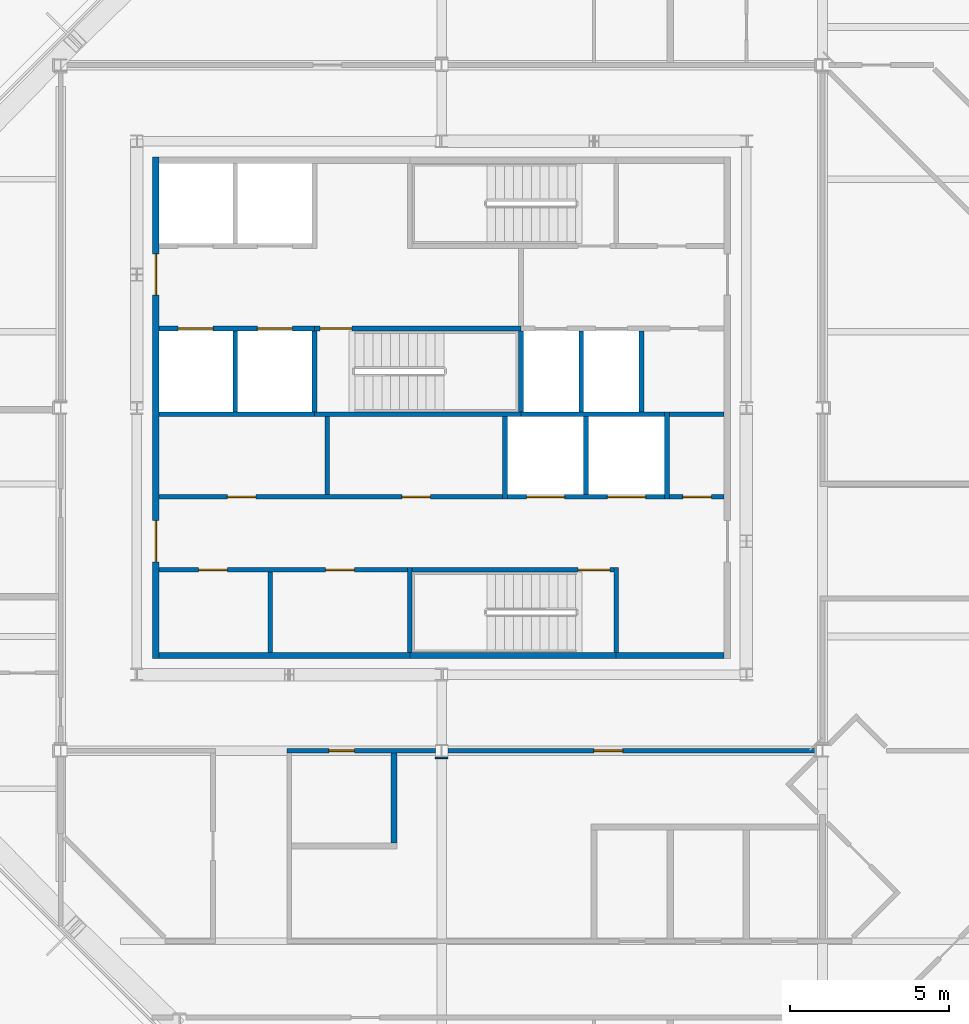
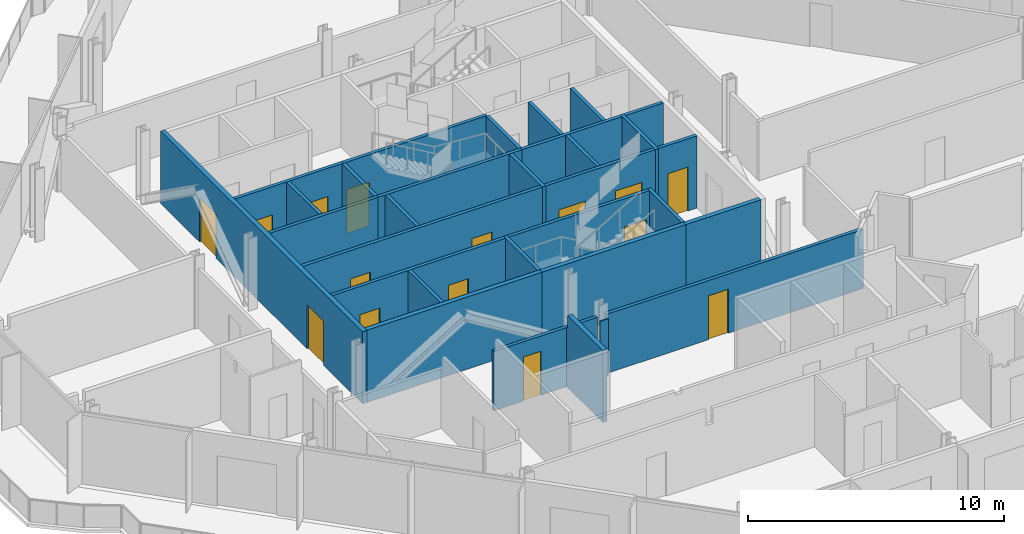
# One storey, part 8 of 17: 31 walls, 15 doors, 15 openings.
"""IFC4 building model written with IfcOpenShell, lengths in metres."""

from ifc_helpers import new_model, si_unit, direction, frame, frame_2d, origin, place, context, subcontext, project, spatial, polyline, rectangle, outline, extrude, material, layer, layer_set, type_object, element, fill, save


model = new_model("IFC4")

# Units and contexts
model_context = context("Model", 3, precision=1e-05, world=origin(), true_north=direction((0.0, 1.0)))
body_context = subcontext(model_context, "Body", "Model", "MODEL_VIEW")
ifc_project = project(units=[si_unit("LENGTHUNIT", "METRE"), si_unit("AREAUNIT", "SQUARE_METRE"), si_unit("VOLUMEUNIT", "CUBIC_METRE"), si_unit("PLANEANGLEUNIT", "RADIAN"), si_unit("MASSUNIT", "GRAM", prefix="KILO")], contexts=[model_context])

# Site, building, storey
site_placement = place(None, origin())
site = spatial("IfcSite", under=ifc_project, at=site_placement, CompositionType="ELEMENT")
building_placement = place(site_placement, origin())
building = spatial("IfcBuilding", under=site, at=building_placement, Name="Cairn Pilgrim Tower", CompositionType="ELEMENT")
storey_placement = place(building_placement, frame((0.0, 0.0, 210.60009765625)))
storey = spatial("IfcBuildingStorey", under=building, at=storey_placement, Name="L53", CompositionType="ELEMENT", Elevation=210.60009765625)

# Walls
ifc_material_1 = material(Name="Concrete C32/40", Category="concrete")
ifc_layer_1 = layer(ifc_material_1, 0.199951171875)
ifc_layer_set_1 = layer_set([ifc_layer_1], Name="CORE OUTER WALL 200 EI 120")
wall_type_1 = type_object("IfcWallType", Name="CORE OUTER WALL 200 EI 120", PredefinedType="SOLIDWALL", material=ifc_layer_set_1)
wall_1_placement = place(storey_placement, frame((-1.699951171875, -5.39990234375, 0.0), z_axis=(0.0, 0.0, 1.0), x_axis=(1.0, 0.0, 0.0)))
element("IfcWall", 1, at=wall_1_placement, inside=storey, type_object=wall_type_1, Name="CW:L53:H01-1", PredefinedType="SOLIDWALL", context=body_context, shape_type="SweptSolid", body=[
    extrude(rectangle(XDim=7.89990234375, YDim=0.199951171875, at=frame_2d((3.949951171875, 0.0))), origin(), (0.0, 0.0, 1.0), 3.449951171875),
])
wall_2_placement = place(storey_placement, frame((12.699951171875, -5.39990234375, 0.0), z_axis=(0.0, 0.0, 1.0), x_axis=(1.0, 0.0, 0.0)))
element("IfcWall", 2, at=wall_2_placement, inside=storey, type_object=wall_type_1, Name="CW:L53:H01-3", PredefinedType="SOLIDWALL", context=body_context, shape_type="SweptSolid", body=[
    extrude(rectangle(XDim=3.400146484375, YDim=0.199951171875, at=frame_2d((1.7001953125, 0.0))), origin(), (0.0, 0.0, 1.0), 3.449951171875),
])

# Wall, openings, doors
wall_3_placement = place(storey_placement, frame((-1.800048828125, -5.5, 0.0), z_axis=(0.0, 0.0, 1.0), x_axis=(0.0, 1.0, 0.0)))
wall_3 = element("IfcWall", 3, at=wall_3_placement, inside=storey, type_object=wall_type_1, Name="CW:L53:V13", PredefinedType="SOLIDWALL", context=body_context, shape_type="SweptSolid", body=[
    extrude(rectangle(XDim=15.800048828125, YDim=0.199951171875, at=frame_2d((7.89990234375, 0.0))), origin(), (0.0, 0.0, 1.0), 3.449951171875),
])
opening_1_placement = place(wall_3_placement, frame((3.050048828125, 0.0, 0.0)))
opening_1 = element("IfcOpeningElement", 4, at=opening_1_placement, cuts=wall_3, Name="Opening CD-W1", PredefinedType="OPENING", context=body_context, shape_type="SweptSolid", body=[
    extrude(rectangle(XDim=1.300048828125, YDim=2.10009765625, at=frame_2d((0.64990234375, 1.050048828125))), frame((0.0, 0.10986328125, 0.0), z_axis=(0.0, -1.0, 0.0), x_axis=(1.0, 0.0, 0.0)), (0.0, 0.0, 1.0), 0.219970703125),
])
opening_2_placement = place(wall_3_placement, frame((11.449951171875, 0.0, 0.0)))
opening_2 = element("IfcOpeningElement", 5, at=opening_2_placement, cuts=wall_3, Name="Opening CD-W2", PredefinedType="OPENING", context=body_context, shape_type="SweptSolid", body=[
    extrude(rectangle(XDim=1.300048828125, YDim=2.10009765625, at=frame_2d((0.64990234375, 1.050048828125))), frame((0.0, 0.10986328125, 0.0), z_axis=(0.0, -1.0, 0.0), x_axis=(1.0, 0.0, 0.0)), (0.0, 0.0, 1.0), 0.219970703125),
])
ifc_material_2 = material(Name="Painted steel", Category="steel")
door_type_1 = type_object("IfcDoorType", Name="CORE LOBBY DOOR 1300x2100", OperationType="DOUBLE_DOOR_SINGLE_SWING", PredefinedType="DOOR", material=ifc_material_2)
door_1_placement = place(opening_1_placement, origin())
door_1 = element("IfcDoor", 6, at=door_1_placement, inside=storey, type_object=door_type_1, Name="CD-W1", OperationType="DOUBLE_DOOR_SINGLE_SWING", OverallHeight=2.10009765625, OverallWidth=1.300048828125, PredefinedType="DOOR", context=body_context, shape_type="SweptSolid", body=[
    extrude(rectangle(XDim=1.300048828125, YDim=2.10009765625, at=frame_2d((0.64990234375, 1.050048828125))), frame((0.0, 0.02490234375, 0.0), z_axis=(0.0, -1.0, 0.0), x_axis=(1.0, 0.0, 0.0)), (0.0, 0.0, 1.0), 0.050048828125),
])
fill(opening_1, door_1)
door_2_placement = place(opening_2_placement, origin())
door_2 = element("IfcDoor", 7, at=door_2_placement, inside=storey, type_object=door_type_1, Name="CD-W2", OperationType="DOUBLE_DOOR_SINGLE_SWING", OverallHeight=2.10009765625, OverallWidth=1.300048828125, PredefinedType="DOOR", context=body_context, shape_type="SweptSolid", body=[
    extrude(rectangle(XDim=1.300048828125, YDim=2.10009765625, at=frame_2d((0.64990234375, 1.050048828125))), frame((0.0, 0.02490234375, 0.0), z_axis=(0.0, -1.0, 0.0), x_axis=(1.0, 0.0, 0.0)), (0.0, 0.0, 1.0), 0.050048828125),
])
fill(opening_2, door_2)

ifc_layer_2 = layer(ifc_material_1, 0.14990234375)
ifc_layer_set_2 = layer_set([ifc_layer_2], Name="CORE PARTITION 150 EI 60")
wall_type_2 = type_object("IfcWallType", Name="CORE PARTITION 150 EI 60", PredefinedType="PARTITIONING", material=ifc_layer_set_2)
wall_4_placement = place(storey_placement, frame((-1.699951171875, -2.699951171875, 0.0), z_axis=(0.0, 0.0, 1.0), x_axis=(1.0, 0.0, 0.0)))
wall_4 = element("IfcWall", 8, at=wall_4_placement, inside=storey, type_object=wall_type_2, Name="CW:L53:H02", PredefinedType="PARTITIONING", context=body_context, shape_type="SweptSolid", body=[
    extrude(rectangle(XDim=7.824951171875, YDim=0.14990234375, at=frame_2d((3.91259765625, 0.0))), origin(), (0.0, 0.0, 1.0), 3.449951171875),
])
opening_3_placement = place(wall_4_placement, frame((1.25, 0.0, 0.0)))
opening_3 = element("IfcOpeningElement", 9, at=opening_3_placement, cuts=wall_4, Name="Opening RD-R1W1", PredefinedType="OPENING", context=body_context, shape_type="SweptSolid", body=[
    extrude(rectangle(XDim=0.89990234375, YDim=2.10009765625, at=frame_2d((0.449951171875, 1.050048828125))), frame((0.0, 0.0849609375, 0.0), z_axis=(0.0, -1.0, 0.0), x_axis=(1.0, 0.0, 0.0)), (0.0, 0.0, 1.0), 0.169921875),
])
opening_4_placement = place(wall_4_placement, frame((5.25, 0.0, 0.0)))
opening_4 = element("IfcOpeningElement", 10, at=opening_4_placement, cuts=wall_4, Name="Opening RD-R1W2", PredefinedType="OPENING", context=body_context, shape_type="SweptSolid", body=[
    extrude(rectangle(XDim=0.89990234375, YDim=2.10009765625, at=frame_2d((0.449951171875, 1.050048828125))), frame((0.0, 0.0849609375, 0.0), z_axis=(0.0, -1.0, 0.0), x_axis=(1.0, 0.0, 0.0)), (0.0, 0.0, 1.0), 0.169921875),
])
door_type_2 = type_object("IfcDoorType", Name="SERVICE ROOM DOOR 900x2100", OperationType="SINGLE_SWING_LEFT", PredefinedType="DOOR", material=ifc_material_2)
door_3_placement = place(opening_3_placement, origin())
door_3 = element("IfcDoor", 11, at=door_3_placement, inside=storey, type_object=door_type_2, Name="RD-R1W1", OperationType="SINGLE_SWING_LEFT", OverallHeight=2.10009765625, OverallWidth=0.89990234375, PredefinedType="DOOR", context=body_context, shape_type="SweptSolid", body=[
    extrude(rectangle(XDim=0.89990234375, YDim=2.10009765625, at=frame_2d((0.449951171875, 1.050048828125))), frame((0.0, 0.02490234375, 0.0), z_axis=(0.0, -1.0, 0.0), x_axis=(1.0, 0.0, 0.0)), (0.0, 0.0, 1.0), 0.050048828125),
])
fill(opening_3, door_3)
door_4_placement = place(opening_4_placement, origin())
door_4 = element("IfcDoor", 12, at=door_4_placement, inside=storey, type_object=door_type_2, Name="RD-R1W2", OperationType="SINGLE_SWING_RIGHT", OverallHeight=2.10009765625, OverallWidth=0.89990234375, PredefinedType="DOOR", context=body_context, shape_type="SweptSolid", body=[
    extrude(rectangle(XDim=0.89990234375, YDim=2.10009765625, at=frame_2d((0.449951171875, 1.050048828125))), frame((0.0, 0.02490234375, 0.0), z_axis=(0.0, -1.0, 0.0), x_axis=(1.0, 0.0, 0.0)), (0.0, 0.0, 1.0), 0.050048828125),
])
fill(opening_4, door_4)

wall_5_placement = place(storey_placement, frame((-1.699951171875, -0.39990234375, 0.0), z_axis=(0.0, 0.0, 1.0), x_axis=(1.0, 0.0, 0.0)))
wall_5 = element("IfcWall", 13, at=wall_5_placement, inside=storey, type_object=wall_type_2, Name="CW:L53:H04", PredefinedType="PARTITIONING", context=body_context, shape_type="SweptSolid", body=[
    extrude(rectangle(XDim=10.824951171875, YDim=0.14990234375, at=frame_2d((5.41259765625, 0.0))), origin(), (0.0, 0.0, 1.0), 3.449951171875),
])
opening_5_placement = place(wall_5_placement, frame((2.14990234375, 0.0, 0.0)))
opening_5 = element("IfcOpeningElement", 14, at=opening_5_placement, cuts=wall_5, Name="Opening RD-R2W1", PredefinedType="OPENING", context=body_context, shape_type="SweptSolid", body=[
    extrude(rectangle(XDim=0.89990234375, YDim=2.10009765625, at=frame_2d((0.449951171875, 1.050048828125))), frame((0.0, 0.0849609375, 0.0), z_axis=(0.0, -1.0, 0.0), x_axis=(1.0, 0.0, 0.0)), (0.0, 0.0, 1.0), 0.169921875),
])
opening_6_placement = place(wall_5_placement, frame((7.64990234375, 0.0, 0.0)))
opening_6 = element("IfcOpeningElement", 15, at=opening_6_placement, cuts=wall_5, Name="Opening RD-R2W2", PredefinedType="OPENING", context=body_context, shape_type="SweptSolid", body=[
    extrude(rectangle(XDim=0.89990234375, YDim=2.10009765625, at=frame_2d((0.449951171875, 1.050048828125))), frame((0.0, 0.0849609375, 0.0), z_axis=(0.0, -1.0, 0.0), x_axis=(1.0, 0.0, 0.0)), (0.0, 0.0, 1.0), 0.169921875),
])
door_5_placement = place(opening_5_placement, origin())
door_5 = element("IfcDoor", 16, at=door_5_placement, inside=storey, type_object=door_type_2, Name="RD-R2W1", OperationType="SINGLE_SWING_LEFT", OverallHeight=2.10009765625, OverallWidth=0.89990234375, PredefinedType="DOOR", context=body_context, shape_type="SweptSolid", body=[
    extrude(rectangle(XDim=0.89990234375, YDim=2.10009765625, at=frame_2d((0.449951171875, 1.050048828125))), frame((0.0, 0.02490234375, 0.0), z_axis=(0.0, -1.0, 0.0), x_axis=(1.0, 0.0, 0.0)), (0.0, 0.0, 1.0), 0.050048828125),
])
fill(opening_5, door_5)
door_6_placement = place(opening_6_placement, origin())
door_6 = element("IfcDoor", 17, at=door_6_placement, inside=storey, type_object=door_type_2, Name="RD-R2W2", OperationType="SINGLE_SWING_RIGHT", OverallHeight=2.10009765625, OverallWidth=0.89990234375, PredefinedType="DOOR", context=body_context, shape_type="SweptSolid", body=[
    extrude(rectangle(XDim=0.89990234375, YDim=2.10009765625, at=frame_2d((0.449951171875, 1.050048828125))), frame((0.0, 0.02490234375, 0.0), z_axis=(0.0, -1.0, 0.0), x_axis=(1.0, 0.0, 0.0)), (0.0, 0.0, 1.0), 0.050048828125),
])
fill(opening_6, door_6)

# Wall, opening, door
wall_6_placement = place(storey_placement, frame((14.375, -0.39990234375, 0.0), z_axis=(0.0, 0.0, 1.0), x_axis=(1.0, 0.0, 0.0)))
wall_6 = element("IfcWall", 18, at=wall_6_placement, inside=storey, type_object=wall_type_2, Name="CW:L53:H06", PredefinedType="PARTITIONING", context=body_context, shape_type="SweptSolid", body=[
    extrude(rectangle(XDim=1.72509765625, YDim=0.14990234375, at=frame_2d((0.862548828125, 0.0))), origin(), (0.0, 0.0, 1.0), 3.449951171875),
])
opening_7_placement = place(wall_6_placement, frame((0.425048828125, 0.0, 0.0)))
opening_7 = element("IfcOpeningElement", 19, at=opening_7_placement, cuts=wall_6, Name="Opening RD-R2E", PredefinedType="OPENING", context=body_context, shape_type="SweptSolid", body=[
    extrude(rectangle(XDim=0.89990234375, YDim=2.10009765625, at=frame_2d((0.449951171875, 1.050048828125))), frame((0.0, 0.0849609375, 0.0), z_axis=(0.0, -1.0, 0.0), x_axis=(1.0, 0.0, 0.0)), (0.0, 0.0, 1.0), 0.169921875),
])
door_7_placement = place(opening_7_placement, origin())
door_7 = element("IfcDoor", 20, at=door_7_placement, inside=storey, type_object=door_type_2, Name="RD-R2E", OperationType="SINGLE_SWING_RIGHT", OverallHeight=2.10009765625, OverallWidth=0.89990234375, PredefinedType="DOOR", context=body_context, shape_type="SweptSolid", body=[
    extrude(rectangle(XDim=0.89990234375, YDim=2.10009765625, at=frame_2d((0.449951171875, 1.050048828125))), frame((0.0, 0.02490234375, 0.0), z_axis=(0.0, -1.0, 0.0), x_axis=(1.0, 0.0, 0.0)), (0.0, 0.0, 1.0), 0.050048828125),
])
fill(opening_7, door_7)

# Walls
wall_7_placement = place(storey_placement, frame((14.375, 2.199951171875, 0.0), z_axis=(0.0, 0.0, 1.0), x_axis=(1.0, 0.0, 0.0)))
element("IfcWall", 21, at=wall_7_placement, inside=storey, type_object=wall_type_2, Name="CW:L53:H08", PredefinedType="PARTITIONING", context=body_context, shape_type="SweptSolid", body=[
    extrude(rectangle(XDim=1.72509765625, YDim=0.14990234375, at=frame_2d((0.862548828125, 0.0))), origin(), (0.0, 0.0, 1.0), 3.449951171875),
])
wall_8_placement = place(storey_placement, frame((1.800048828125, -5.300048828125, 0.0), z_axis=(0.0, 0.0, 1.0), x_axis=(0.0, 1.0, 0.0)))
element("IfcWall", 22, at=wall_8_placement, inside=storey, type_object=wall_type_2, Name="CW:L53:V16", PredefinedType="PARTITIONING", context=body_context, shape_type="SweptSolid", body=[
    extrude(rectangle(XDim=2.525146484375, YDim=0.14990234375, at=frame_2d((1.2626953125, 0.0))), origin(), (0.0, 0.0, 1.0), 3.449951171875),
])
wall_9_placement = place(storey_placement, frame((3.60009765625, -0.324951171875, 0.0), z_axis=(0.0, 0.0, 1.0), x_axis=(0.0, 1.0, 0.0)))
element("IfcWall", 23, at=wall_9_placement, inside=storey, type_object=wall_type_2, Name="CW:L53:V19", PredefinedType="PARTITIONING", context=body_context, shape_type="SweptSolid", body=[
    extrude(rectangle(XDim=2.449951171875, YDim=0.14990234375, at=frame_2d((1.22509765625, 0.0))), origin(), (0.0, 0.0, 1.0), 3.449951171875),
])

# Wall, openings, doors
ifc_layer_3 = layer(ifc_material_1, 0.14990234375)
ifc_layer_set_3 = layer_set([ifc_layer_3], Name="CORE SHAFT WALL 150 EI 120")
wall_type_3 = type_object("IfcWallType", Name="CORE SHAFT WALL 150 EI 120", PredefinedType="SOLIDWALL", material=ifc_layer_set_3)
wall_10_placement = place(storey_placement, frame((9.27490234375, -0.39990234375, 0.0), z_axis=(0.0, 0.0, 1.0), x_axis=(1.0, 0.0, 0.0)))
wall_10 = element("IfcWall", 24, at=wall_10_placement, inside=storey, type_object=wall_type_3, Name="CW:L53:H05", PredefinedType="SOLIDWALL", context=body_context, shape_type="SweptSolid", body=[
    extrude(rectangle(XDim=4.9501953125, YDim=0.14990234375, at=frame_2d((2.47509765625, 0.0))), origin(), (0.0, 0.0, 1.0), 3.449951171875),
])
opening_8_placement = place(wall_10_placement, frame((0.60009765625, 0.0, 0.0)))
opening_8 = element("IfcOpeningElement", 25, at=opening_8_placement, cuts=wall_10, Name="Opening LD-SV1", PredefinedType="OPENING", context=body_context, shape_type="SweptSolid", body=[
    extrude(rectangle(XDim=1.199951171875, YDim=2.10009765625, at=frame_2d((0.60009765625, 1.050048828125))), frame((0.0, 0.0849609375, 0.0), z_axis=(0.0, -1.0, 0.0), x_axis=(1.0, 0.0, 0.0)), (0.0, 0.0, 1.0), 0.169921875),
])
opening_9_placement = place(wall_10_placement, frame((3.14990234375, 0.0, 0.0)))
opening_9 = element("IfcOpeningElement", 26, at=opening_9_placement, cuts=wall_10, Name="Opening LD-SV2", PredefinedType="OPENING", context=body_context, shape_type="SweptSolid", body=[
    extrude(rectangle(XDim=1.199951171875, YDim=2.10009765625, at=frame_2d((0.60009765625, 1.050048828125))), frame((0.0, 0.0849609375, 0.0), z_axis=(0.0, -1.0, 0.0), x_axis=(1.0, 0.0, 0.0)), (0.0, 0.0, 1.0), 0.169921875),
])
ifc_material_3 = material(Name="Stainless steel", Category="steel")
door_type_3 = type_object("IfcDoorType", Name="LIFT LANDING DOOR 1200x2100", OperationType="DOUBLE_DOOR_SLIDING", PredefinedType="DOOR", material=ifc_material_3)
door_8_placement = place(opening_8_placement, origin())
door_8 = element("IfcDoor", 27, at=door_8_placement, inside=storey, type_object=door_type_3, Name="LANDING DOOR SV1", OperationType="DOUBLE_DOOR_SLIDING", OverallHeight=2.10009765625, OverallWidth=1.199951171875, PredefinedType="DOOR", context=body_context, shape_type="SweptSolid", body=[
    extrude(rectangle(XDim=1.199951171875, YDim=2.10009765625, at=frame_2d((0.60009765625, 1.050048828125))), frame((0.0, 0.02490234375, 0.0), z_axis=(0.0, -1.0, 0.0), x_axis=(1.0, 0.0, 0.0)), (0.0, 0.0, 1.0), 0.050048828125),
])
fill(opening_8, door_8)
door_9_placement = place(opening_9_placement, origin())
door_9 = element("IfcDoor", 28, at=door_9_placement, inside=storey, type_object=door_type_3, Name="LANDING DOOR SV2", OperationType="DOUBLE_DOOR_SLIDING", OverallHeight=2.10009765625, OverallWidth=1.199951171875, PredefinedType="DOOR", context=body_context, shape_type="SweptSolid", body=[
    extrude(rectangle(XDim=1.199951171875, YDim=2.10009765625, at=frame_2d((0.60009765625, 1.050048828125))), frame((0.0, 0.02490234375, 0.0), z_axis=(0.0, -1.0, 0.0), x_axis=(1.0, 0.0, 0.0)), (0.0, 0.0, 1.0), 0.050048828125),
])
fill(opening_9, door_9)

# Walls
wall_11_placement = place(storey_placement, frame((-1.699951171875, 2.199951171875, 0.0), z_axis=(0.0, 0.0, 1.0), x_axis=(1.0, 0.0, 0.0)))
element("IfcWall", 29, at=wall_11_placement, inside=storey, type_object=wall_type_3, Name="CW:L53:H07-1", PredefinedType="SOLIDWALL", context=body_context, shape_type="SweptSolid", body=[
    extrude(rectangle(XDim=4.89990234375, YDim=0.14990234375, at=frame_2d((2.449951171875, 0.0))), origin(), (0.0, 0.0, 1.0), 3.449951171875),
])
wall_12_placement = place(storey_placement, frame((9.699951171875, 2.199951171875, 0.0), z_axis=(0.0, 0.0, 1.0), x_axis=(1.0, 0.0, 0.0)))
element("IfcWall", 30, at=wall_12_placement, inside=storey, type_object=wall_type_3, Name="CW:L53:H07-3", PredefinedType="SOLIDWALL", context=body_context, shape_type="SweptSolid", body=[
    extrude(rectangle(XDim=4.525146484375, YDim=0.14990234375, at=frame_2d((2.2626953125, 0.0))), origin(), (0.0, 0.0, 1.0), 3.449951171875),
])

# Wall, openings, doors
wall_13_placement = place(storey_placement, frame((-1.699951171875, 4.89990234375, 0.0), z_axis=(0.0, 0.0, 1.0), x_axis=(1.0, 0.0, 0.0)))
wall_13 = element("IfcWall", 31, at=wall_13_placement, inside=storey, type_object=wall_type_3, Name="CW:L53:H09-1", PredefinedType="SOLIDWALL", context=body_context, shape_type="SweptSolid", body=[
    extrude(rectangle(XDim=4.89990234375, YDim=0.14990234375, at=frame_2d((2.449951171875, 0.0))), origin(), (0.0, 0.0, 1.0), 3.449951171875),
])
opening_10_placement = place(wall_13_placement, frame((0.60009765625, 0.0, 0.0)))
opening_10 = element("IfcOpeningElement", 32, at=opening_10_placement, cuts=wall_13, Name="Opening LD-HR1", PredefinedType="OPENING", context=body_context, shape_type="SweptSolid", body=[
    extrude(rectangle(XDim=1.10009765625, YDim=2.10009765625, at=frame_2d((0.550048828125, 1.050048828125))), frame((0.0, 0.0849609375, 0.0), z_axis=(0.0, -1.0, 0.0), x_axis=(1.0, 0.0, 0.0)), (0.0, 0.0, 1.0), 0.169921875),
])
opening_11_placement = place(wall_13_placement, frame((3.10009765625, 0.0, 0.0)))
opening_11 = element("IfcOpeningElement", 33, at=opening_11_placement, cuts=wall_13, Name="Opening LD-HR2", PredefinedType="OPENING", context=body_context, shape_type="SweptSolid", body=[
    extrude(rectangle(XDim=1.10009765625, YDim=2.10009765625, at=frame_2d((0.550048828125, 1.050048828125))), frame((0.0, 0.0849609375, 0.0), z_axis=(0.0, -1.0, 0.0), x_axis=(1.0, 0.0, 0.0)), (0.0, 0.0, 1.0), 0.169921875),
])
door_type_4 = type_object("IfcDoorType", Name="LIFT LANDING DOOR 1100x2100", OperationType="DOUBLE_DOOR_SLIDING", PredefinedType="DOOR", material=ifc_material_3)
door_10_placement = place(opening_10_placement, origin())
door_10 = element("IfcDoor", 34, at=door_10_placement, inside=storey, type_object=door_type_4, Name="LANDING DOOR HR1", OperationType="DOUBLE_DOOR_SLIDING", OverallHeight=2.10009765625, OverallWidth=1.10009765625, PredefinedType="DOOR", context=body_context, shape_type="SweptSolid", body=[
    extrude(rectangle(XDim=1.10009765625, YDim=2.10009765625, at=frame_2d((0.550048828125, 1.050048828125))), frame((0.0, 0.02490234375, 0.0), z_axis=(0.0, -1.0, 0.0), x_axis=(1.0, 0.0, 0.0)), (0.0, 0.0, 1.0), 0.050048828125),
])
fill(opening_10, door_10)
door_11_placement = place(opening_11_placement, origin())
door_11 = element("IfcDoor", 35, at=door_11_placement, inside=storey, type_object=door_type_4, Name="LANDING DOOR HR2", OperationType="DOUBLE_DOOR_SLIDING", OverallHeight=2.10009765625, OverallWidth=1.10009765625, PredefinedType="DOOR", context=body_context, shape_type="SweptSolid", body=[
    extrude(rectangle(XDim=1.10009765625, YDim=2.10009765625, at=frame_2d((0.550048828125, 1.050048828125))), frame((0.0, 0.02490234375, 0.0), z_axis=(0.0, -1.0, 0.0), x_axis=(1.0, 0.0, 0.0)), (0.0, 0.0, 1.0), 0.050048828125),
])
fill(opening_11, door_11)

# Walls
wall_14_placement = place(storey_placement, frame((0.699951171875, 2.27490234375, 0.0), z_axis=(0.0, 0.0, 1.0), x_axis=(0.0, 1.0, 0.0)))
element("IfcWall", 36, at=wall_14_placement, inside=storey, type_object=wall_type_3, Name="CW:L53:V14", PredefinedType="SOLIDWALL", context=body_context, shape_type="SweptSolid", body=[
    extrude(rectangle(XDim=2.550048828125, YDim=0.14990234375, at=frame_2d((1.27490234375, 0.0))), origin(), (0.0, 0.0, 1.0), 3.449951171875),
])
wall_15_placement = place(storey_placement, frame((9.199951171875, -0.47509765625, 0.0), z_axis=(0.0, 0.0, 1.0), x_axis=(0.0, 1.0, 0.0)))
element("IfcWall", 37, at=wall_15_placement, inside=storey, type_object=wall_type_3, Name="CW:L53:V22", PredefinedType="SOLIDWALL", context=body_context, shape_type="SweptSolid", body=[
    extrude(rectangle(XDim=2.60009765625, YDim=0.14990234375, at=frame_2d((1.300048828125, 0.0))), origin(), (0.0, 0.0, 1.0), 3.449951171875),
])
wall_16_placement = place(storey_placement, frame((11.60009765625, 2.27490234375, 0.0), z_axis=(0.0, 0.0, 1.0), x_axis=(0.0, 1.0, 0.0)))
element("IfcWall", 38, at=wall_16_placement, inside=storey, type_object=wall_type_3, Name="CW:L53:V25", PredefinedType="SOLIDWALL", context=body_context, shape_type="SweptSolid", body=[
    extrude(rectangle(XDim=2.550048828125, YDim=0.14990234375, at=frame_2d((1.27490234375, 0.0))), origin(), (0.0, 0.0, 1.0), 3.449951171875),
])
wall_17_placement = place(storey_placement, frame((11.75, -0.324951171875, 0.0), z_axis=(0.0, 0.0, 1.0), x_axis=(0.0, 1.0, 0.0)))
element("IfcWall", 39, at=wall_17_placement, inside=storey, type_object=wall_type_3, Name="CW:L53:V26", PredefinedType="SOLIDWALL", context=body_context, shape_type="SweptSolid", body=[
    extrude(rectangle(XDim=2.449951171875, YDim=0.14990234375, at=frame_2d((1.22509765625, 0.0))), origin(), (0.0, 0.0, 1.0), 3.449951171875),
])
wall_18_placement = place(storey_placement, frame((13.5, 2.27490234375, 0.0), z_axis=(0.0, 0.0, 1.0), x_axis=(0.0, 1.0, 0.0)))
element("IfcWall", 40, at=wall_18_placement, inside=storey, type_object=wall_type_3, Name="CW:L53:V29", PredefinedType="SOLIDWALL", context=body_context, shape_type="SweptSolid", body=[
    extrude(rectangle(XDim=2.550048828125, YDim=0.14990234375, at=frame_2d((1.27490234375, 0.0))), origin(), (0.0, 0.0, 1.0), 3.449951171875),
])
wall_19_placement = place(storey_placement, frame((14.300048828125, -0.47509765625, 0.0), z_axis=(0.0, 0.0, 1.0), x_axis=(0.0, 1.0, 0.0)))
element("IfcWall", 41, at=wall_19_placement, inside=storey, type_object=wall_type_3, Name="CW:L53:V30", PredefinedType="SOLIDWALL", context=body_context, shape_type="SweptSolid", body=[
    extrude(rectangle(XDim=2.75, YDim=0.14990234375, at=frame_2d((1.375, 0.0))), origin(), (0.0, 0.0, 1.0), 3.449951171875),
])

# Wall, opening, door
ifc_material_4 = material(Name="Gypsum partition")
ifc_layer_4 = layer(ifc_material_4, 0.14990234375)
ifc_layer_set_4 = layer_set([ifc_layer_4], Name="PARTITION 150 DRYWALL EI 60")
wall_type_4 = type_object("IfcWallType", Name="PARTITION 150 DRYWALL EI 60", PredefinedType="PARTITIONING", material=ifc_layer_set_4)
wall_20_placement = place(storey_placement, frame((2.324951171875, -8.39990234375, 0.0), z_axis=(0.0, 0.0, 1.0), x_axis=(1.0, 0.0, 0.0)))
wall_20 = element("IfcWall", 42, at=wall_20_placement, inside=storey, type_object=wall_type_4, Name="PARTITION W036", PredefinedType="PARTITIONING", context=body_context, shape_type="SweptSolid", body=[
    extrude(rectangle(XDim=4.675537109375, YDim=0.14990234375, at=frame_2d((2.337890625, 0.0))), origin(), (0.0, 0.0, 1.0), 2.829833984375),
])
opening_12_placement = place(wall_20_placement, frame((1.324951171875, 0.0, 0.0)))
opening_12 = element("IfcOpeningElement", 43, at=opening_12_placement, cuts=wall_20, Name="Opening 5313", PredefinedType="OPENING", context=body_context, shape_type="SweptSolid", body=[
    extrude(rectangle(XDim=0.800048828125, YDim=2.10009765625, at=frame_2d((0.39990234375, 1.050048828125))), frame((0.0, 0.0849609375, 0.0), z_axis=(0.0, -1.0, 0.0), x_axis=(1.0, 0.0, 0.0)), (0.0, 0.0, 1.0), 0.169921875),
])
ifc_material_5 = material(Name="Timber door leaf", Category="wood")
door_type_5 = type_object("IfcDoorType", Name="WC DOOR 800x2100 FD30S", OperationType="NOTDEFINED", PredefinedType="DOOR", material=ifc_material_5)
door_12_placement = place(opening_12_placement, frame((0.800048828125, 0.0, 0.0), z_axis=(0.0, 0.0, 1.0), x_axis=(-1.0, 0.0, 0.0)))
door_12 = element("IfcDoor", 44, at=door_12_placement, inside=storey, type_object=door_type_5, Name="DOOR 5313", OperationType="SINGLE_SWING_RIGHT", OverallHeight=2.10009765625, OverallWidth=0.800048828125, PredefinedType="DOOR", context=body_context, shape_type="SweptSolid", body=[
    extrude(rectangle(XDim=0.800048828125, YDim=2.10009765625, at=frame_2d((0.39990234375, 1.050048828125))), frame((0.0, 0.02490234375, 0.0), z_axis=(0.0, -1.0, 0.0), x_axis=(1.0, 0.0, 0.0)), (0.0, 0.0, 1.0), 0.050048828125),
])
fill(opening_12, door_12)

wall_21_placement = place(storey_placement, frame((7.3994140625, -8.39990234375, 0.0), z_axis=(0.0, 0.0, 1.0), x_axis=(1.0, 0.0, 0.0)))
wall_21 = element("IfcWall", 45, at=wall_21_placement, inside=storey, type_object=wall_type_4, Name="PARTITION W037", PredefinedType="PARTITIONING", context=body_context, shape_type="SweptSolid", body=[
    extrude(rectangle(XDim=11.60107421875, YDim=0.14990234375, at=frame_2d((5.800537109375, 0.0))), origin(), (0.0, 0.0, 1.0), 2.829833984375),
])
opening_13_placement = place(wall_21_placement, frame((4.6005859375, 0.0, 0.0)))
opening_13 = element("IfcOpeningElement", 46, at=opening_13_placement, cuts=wall_21, Name="Opening 5321", PredefinedType="OPENING", context=body_context, shape_type="SweptSolid", body=[
    extrude(rectangle(XDim=0.89990234375, YDim=2.10009765625, at=frame_2d((0.449951171875, 1.050048828125))), frame((0.0, 0.0849609375, 0.0), z_axis=(0.0, -1.0, 0.0), x_axis=(1.0, 0.0, 0.0)), (0.0, 0.0, 1.0), 0.169921875),
])
door_type_6 = type_object("IfcDoorType", Name="SERVICE DOOR 900x2100 FD30S", OperationType="NOTDEFINED", PredefinedType="DOOR", material=ifc_material_5)
door_13_placement = place(opening_13_placement, frame((0.89990234375, 0.0, 0.0), z_axis=(0.0, 0.0, 1.0), x_axis=(-1.0, 0.0, 0.0)))
door_13 = element("IfcDoor", 47, at=door_13_placement, inside=storey, type_object=door_type_6, Name="DOOR 5321", OperationType="SINGLE_SWING_LEFT", OverallHeight=2.10009765625, OverallWidth=0.89990234375, PredefinedType="DOOR", context=body_context, shape_type="SweptSolid", body=[
    extrude(rectangle(XDim=0.89990234375, YDim=2.10009765625, at=frame_2d((0.449951171875, 1.050048828125))), frame((0.0, 0.02490234375, 0.0), z_axis=(0.0, -1.0, 0.0), x_axis=(1.0, 0.0, 0.0)), (0.0, 0.0, 1.0), 0.050048828125),
])
fill(opening_13, door_13)

# Walls
ifc_layer_5 = layer(ifc_material_4, 0.050048828125)
ifc_layer_set_5 = layer_set([ifc_layer_5], Name="PARTITION 50 DRYWALL EI 60")
wall_type_5 = type_object("IfcWallType", Name="PARTITION 50 DRYWALL EI 60", PredefinedType="PARTITIONING", material=ifc_layer_set_5)
wall_22_placement = place(storey_placement, frame((7.00048828125, -8.62158203125, 0.0), z_axis=(0.0, 0.0, 1.0), x_axis=(1.0, 0.0, 0.0)))
element("IfcWall", 48, at=wall_22_placement, inside=storey, type_object=wall_type_5, Name="COLUMN CASING WC11", PredefinedType="PARTITIONING", context=body_context, shape_type="SweptSolid", body=[
    extrude(rectangle(XDim=0.39892578125, YDim=0.050048828125, at=frame_2d((0.199462890625, 0.0))), origin(), (0.0, 0.0, 1.0), 2.72998046875),
])
ifc_layer_6 = layer(ifc_material_4, 0.199951171875)
ifc_layer_set_6 = layer_set([ifc_layer_6], Name="SHAFT WALL 200 GYPSUM EI 60")
wall_type_6 = type_object("IfcWallType", Name="SHAFT WALL 200 GYPSUM EI 60", PredefinedType="PARTITIONING", material=ifc_layer_set_6)
wall_23_placement = place(storey_placement, frame((5.699951171875, -11.300048828125, 0.0), z_axis=(0.0, 0.0, 1.0), x_axis=(0.0, 1.0, 0.0)))
element("IfcWall", 49, at=wall_23_placement, inside=storey, type_object=wall_type_6, Name="PARTITION W027", PredefinedType="PARTITIONING", context=body_context, shape_type="SweptSolid", body=[
    extrude(outline(polyline([(0.0, 0.0), (2.824951171875, 0.0), (2.824951171875, 2.829833984375), (2.75, 2.829833984375), (2.748046875, 3.449951171875), (0.0, 3.449951171875), (0.0, 0.0)])), frame((0.0, 0.10009765625, 0.0), z_axis=(0.0, -1.0, 0.0), x_axis=(1.0, 0.0, 0.0)), (0.0, 0.0, 1.0), 0.199951171875),
])

# Wall, opening, door
ifc_material_6 = material(Name="Concrete C35/45", Category="concrete")
ifc_layer_7 = layer(ifc_material_6, 0.14990234375)
ifc_layer_set_7 = layer_set([ifc_layer_7], Name="STAIR SHAFT WALL 150 EI 120")
wall_type_7 = type_object("IfcWallType", Name="STAIR SHAFT WALL 150 EI 120", PredefinedType="SOLIDWALL", material=ifc_layer_set_7)
wall_24_placement = place(storey_placement, frame((6.27490234375, -2.699951171875, 0.0), z_axis=(0.0, 0.0, 1.0), x_axis=(1.0, 0.0, 0.0)))
wall_24 = element("IfcWall", 50, at=wall_24_placement, inside=storey, type_object=wall_type_7, Name="CW:L53:H03", PredefinedType="SOLIDWALL", context=body_context, shape_type="SweptSolid", body=[
    extrude(rectangle(XDim=6.35009765625, YDim=0.14990234375, at=frame_2d((3.175048828125, 0.0))), origin(), (0.0, 0.0, 1.0), 3.449951171875),
])
opening_14_placement = place(wall_24_placement, frame((5.22509765625, 0.0, 0.0)))
opening_14 = element("IfcOpeningElement", 51, at=opening_14_placement, cuts=wall_24, Name="Opening SD-A", PredefinedType="OPENING", context=body_context, shape_type="SweptSolid", body=[
    extrude(rectangle(XDim=1.0, YDim=2.10009765625, at=frame_2d((0.5, 1.050048828125))), frame((0.0, 0.0849609375, 0.0), z_axis=(0.0, -1.0, 0.0), x_axis=(1.0, 0.0, 0.0)), (0.0, 0.0, 1.0), 0.169921875),
])
door_type_7 = type_object("IfcDoorType", Name="STAIR DOOR FD60S 1000x2100", OperationType="SINGLE_SWING_LEFT", PredefinedType="DOOR", material=ifc_material_2)
door_14_placement = place(opening_14_placement, origin())
door_14 = element("IfcDoor", 52, at=door_14_placement, inside=storey, type_object=door_type_7, Name="SD-A", OperationType="SINGLE_SWING_LEFT", OverallHeight=2.10009765625, OverallWidth=1.0, PredefinedType="DOOR", context=body_context, shape_type="SweptSolid", body=[
    extrude(rectangle(XDim=1.0, YDim=2.10009765625, at=frame_2d((0.5, 1.050048828125))), frame((0.0, 0.02490234375, 0.0), z_axis=(0.0, -1.0, 0.0), x_axis=(1.0, 0.0, 0.0)), (0.0, 0.0, 1.0), 0.050048828125),
])
fill(opening_14, door_14)

# Wall
wall_25_placement = place(storey_placement, frame((3.199951171875, 2.199951171875, 0.0), z_axis=(0.0, 0.0, 1.0), x_axis=(1.0, 0.0, 0.0)))
element("IfcWall", 53, at=wall_25_placement, inside=storey, type_object=wall_type_7, Name="CW:L53:H07-2", PredefinedType="SOLIDWALL", context=body_context, shape_type="SweptSolid", body=[
    extrude(rectangle(XDim=6.5, YDim=0.14990234375, at=frame_2d((3.25, 0.0))), origin(), (0.0, 0.0, 1.0), 3.449951171875),
])

# Wall, opening, door
wall_26_placement = place(storey_placement, frame((3.199951171875, 4.89990234375, 0.0), z_axis=(0.0, 0.0, 1.0), x_axis=(1.0, 0.0, 0.0)))
wall_26 = element("IfcWall", 54, at=wall_26_placement, inside=storey, type_object=wall_type_7, Name="CW:L53:H09-2", PredefinedType="SOLIDWALL", context=body_context, shape_type="SweptSolid", body=[
    extrude(rectangle(XDim=6.5, YDim=0.14990234375, at=frame_2d((3.25, 0.0))), origin(), (0.0, 0.0, 1.0), 3.449951171875),
])
opening_15_placement = place(wall_26_placement, frame((0.175048828125, 0.0, 0.0)))
opening_15 = element("IfcOpeningElement", 55, at=opening_15_placement, cuts=wall_26, Name="Opening SD-B", PredefinedType="OPENING", context=body_context, shape_type="SweptSolid", body=[
    extrude(rectangle(XDim=1.0, YDim=2.10009765625, at=frame_2d((0.5, 1.050048828125))), frame((0.0, 0.0849609375, 0.0), z_axis=(0.0, -1.0, 0.0), x_axis=(1.0, 0.0, 0.0)), (0.0, 0.0, 1.0), 0.169921875),
])
door_15_placement = place(opening_15_placement, origin())
door_15 = element("IfcDoor", 56, at=door_15_placement, inside=storey, type_object=door_type_7, Name="SD-B", OperationType="SINGLE_SWING_RIGHT", OverallHeight=2.10009765625, OverallWidth=1.0, PredefinedType="DOOR", context=body_context, shape_type="SweptSolid", body=[
    extrude(rectangle(XDim=1.0, YDim=2.10009765625, at=frame_2d((0.5, 1.050048828125))), frame((0.0, 0.02490234375, 0.0), z_axis=(0.0, -1.0, 0.0), x_axis=(1.0, 0.0, 0.0)), (0.0, 0.0, 1.0), 0.050048828125),
])
fill(opening_15, door_15)

# Walls
wall_27_placement = place(storey_placement, frame((3.199951171875, 2.27490234375, 0.0), z_axis=(0.0, 0.0, 1.0), x_axis=(0.0, 1.0, 0.0)))
element("IfcWall", 57, at=wall_27_placement, inside=storey, type_object=wall_type_7, Name="CW:L53:V17", PredefinedType="SOLIDWALL", context=body_context, shape_type="SweptSolid", body=[
    extrude(rectangle(XDim=2.550048828125, YDim=0.14990234375, at=frame_2d((1.27490234375, 0.0))), origin(), (0.0, 0.0, 1.0), 3.449951171875),
])
wall_28_placement = place(storey_placement, frame((6.199951171875, -5.300048828125, 0.0), z_axis=(0.0, 0.0, 1.0), x_axis=(0.0, 1.0, 0.0)))
element("IfcWall", 58, at=wall_28_placement, inside=storey, type_object=wall_type_7, Name="CW:L53:V20", PredefinedType="SOLIDWALL", context=body_context, shape_type="SweptSolid", body=[
    extrude(rectangle(XDim=2.675048828125, YDim=0.14990234375, at=frame_2d((1.33740234375, 0.0))), origin(), (0.0, 0.0, 1.0), 3.449951171875),
])
wall_29_placement = place(storey_placement, frame((9.699951171875, 2.27490234375, 0.0), z_axis=(0.0, 0.0, 1.0), x_axis=(0.0, 1.0, 0.0)))
element("IfcWall", 59, at=wall_29_placement, inside=storey, type_object=wall_type_7, Name="CW:L53:V23", PredefinedType="SOLIDWALL", context=body_context, shape_type="SweptSolid", body=[
    extrude(rectangle(XDim=2.550048828125, YDim=0.14990234375, at=frame_2d((1.27490234375, 0.0))), origin(), (0.0, 0.0, 1.0), 3.449951171875),
])
wall_30_placement = place(storey_placement, frame((12.699951171875, -5.300048828125, 0.0), z_axis=(0.0, 0.0, 1.0), x_axis=(0.0, 1.0, 0.0)))
element("IfcWall", 60, at=wall_30_placement, inside=storey, type_object=wall_type_7, Name="CW:L53:V27", PredefinedType="SOLIDWALL", context=body_context, shape_type="SweptSolid", body=[
    extrude(rectangle(XDim=2.675048828125, YDim=0.14990234375, at=frame_2d((1.33740234375, 0.0))), origin(), (0.0, 0.0, 1.0), 3.449951171875),
])
ifc_layer_8 = layer(ifc_material_6, 0.199951171875)
ifc_layer_set_8 = layer_set([ifc_layer_8], Name="STAIR SHAFT WALL 200 EI 120")
wall_type_8 = type_object("IfcWallType", Name="STAIR SHAFT WALL 200 EI 120", PredefinedType="SOLIDWALL", material=ifc_layer_set_8)
wall_31_placement = place(storey_placement, frame((6.199951171875, -5.39990234375, 0.0), z_axis=(0.0, 0.0, 1.0), x_axis=(1.0, 0.0, 0.0)))
element("IfcWall", 61, at=wall_31_placement, inside=storey, type_object=wall_type_8, Name="CW:L53:H01-2", PredefinedType="SOLIDWALL", context=body_context, shape_type="SweptSolid", body=[
    extrude(rectangle(XDim=6.5, YDim=0.199951171875, at=frame_2d((3.25, 0.0))), origin(), (0.0, 0.0, 1.0), 3.449951171875),
])

save(model, "model.ifc")
